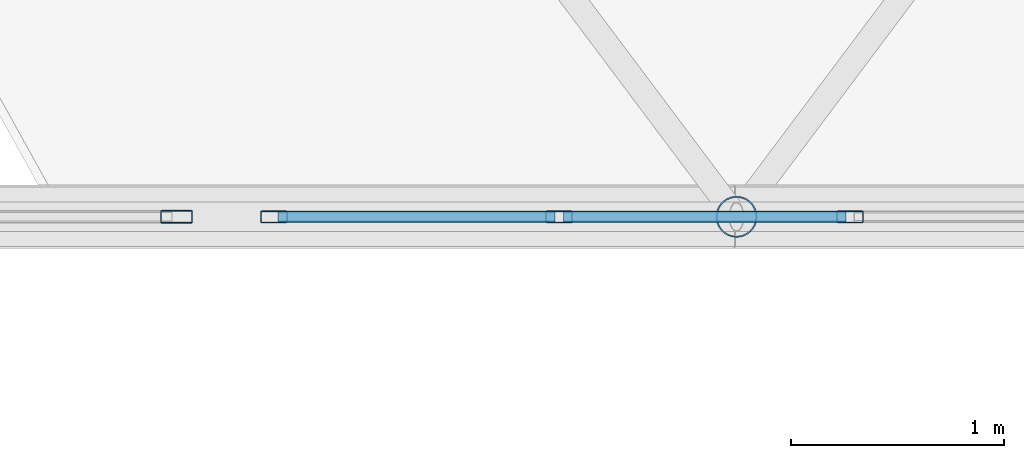
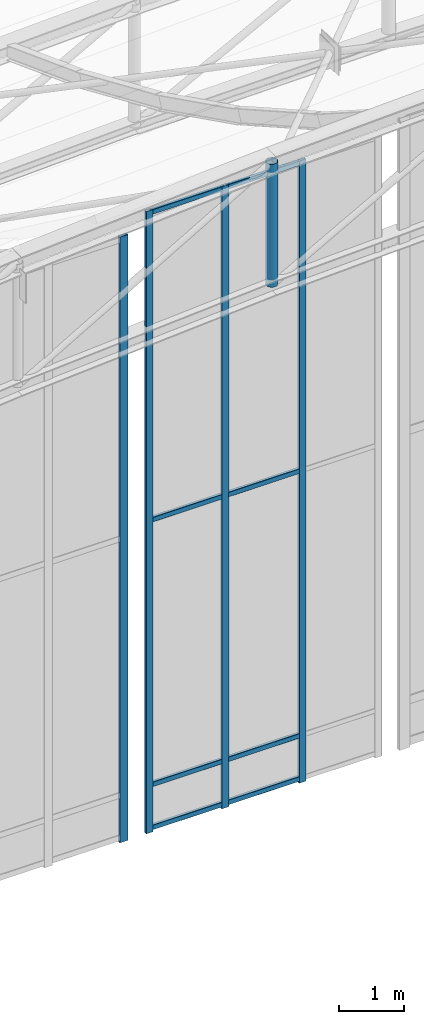
# One storey, part 48 of 262: 13 members, 2 elements without a shape of their own.
"""IFC4 building model written with IfcOpenShell, lengths in metres."""

from ifc_helpers import new_model, si_unit, derived_unit, direction, frame, origin, origin_2d, place, context, subcontext, project, spatial, hollow_rectangle, hollow_circle, extrude, material, layer, layer_set, material_profile, profile_set, type_object, element, aggregate, save


model = new_model("IFC4")

# Units and contexts
model_context = context("Model", 3, precision=1e-05, world=origin(), true_north=direction((0.0, 1.0)))
body_context = subcontext(model_context, "Body", "Model", "MODEL_VIEW")
ifc_project = project(units=[si_unit("LENGTHUNIT", "METRE"), si_unit("AREAUNIT", "SQUARE_METRE"), si_unit("VOLUMEUNIT", "CUBIC_METRE"), si_unit("PLANEANGLEUNIT", "RADIAN"), si_unit("MASSUNIT", "GRAM", prefix="KILO"), derived_unit("THERMALTRANSMITTANCEUNIT", [(si_unit("POWERUNIT", "WATT"), 1), (si_unit("LENGTHUNIT", "METRE"), -2), (si_unit("THERMODYNAMICTEMPERATUREUNIT", "KELVIN"), -1)])], contexts=[model_context])

# Site, building, storey
site_placement = place(None, origin())
site = spatial("IfcSite", under=ifc_project, at=site_placement, CompositionType="ELEMENT")
building_placement = place(site_placement, origin())
building = spatial("IfcBuilding", under=site, at=building_placement, Name="Almenara Railside Exhibition Hall", CompositionType="ELEMENT")
storey_placement = place(building_placement, frame((0.0, 0.0, 21.699951171875)))
storey = spatial("IfcBuildingStorey", under=building, at=storey_placement, Name="RF", CompositionType="ELEMENT", Elevation=21.699951171875)

# Curtain wall, members
ifc_material_1 = material(Name="Bronze-anodised aluminium and low-E double glazing", Category="aluminium")
ifc_layer = layer(ifc_material_1, 0.179931640625, Name="Bronze-anodised aluminium and low-E double glazing")
ifc_layer_set = layer_set([ifc_layer], Name="Bronze-anodised aluminium and low-E double glazing")
curtain_wall_type = type_object("IfcCurtainWallType", Name="Scroll Gable Tall Curtain Wall 3800x5400", PredefinedType="NOTDEFINED", material=ifc_layer_set)
curtain_wall_1_placement = place(storey_placement, origin())
curtain_wall_1 = element("IfcCurtainWall", 1, at=curtain_wall_1_placement, inside=storey, type_object=curtain_wall_type, Name="Curtain wall CW-G1-199", PredefinedType="NOTDEFINED")
ifc_material_2 = material(Name="Bronze-anodised aluminium", Category="aluminium")
ifc_material_profile_1 = material_profile(ifc_material_2, hollow_rectangle(XDim=0.054931640625, YDim=0.125, WallThickness=0.0029296875, InnerFilletRadius=0.0029296875, OuterFilletRadius=0.006103515625, at=origin_2d()), Name="ALU-MUL 55x125x3")
ifc_profile_set_1 = profile_set([ifc_material_profile_1], Name="Bronze-anodised aluminium")
member_type_1 = type_object("IfcMemberType", Name="Curtain Wall Mullion 55x125x3", PredefinedType="MULLION", material=ifc_profile_set_1)
member_1_placement = place(storey_placement, frame((27.827392578125, 48.0, -0.93505859375), z_axis=(0.0, 0.0, 1.0), x_axis=(0.0, 1.0, 0.0)))
member_1 = element("IfcMember", 2, at=member_1_placement, type_object=member_type_1, Name="CW-G1-199 mullion 1", PredefinedType="MULLION", context=body_context, shape_type="SweptSolid", body=[
    extrude(hollow_rectangle(XDim=0.054931640625, YDim=0.125, WallThickness=0.0029296875, InnerFilletRadius=0.0029296875, OuterFilletRadius=0.006103515625, at=origin_2d()), origin(), (0.0, 0.0, 1.0), 11.635009765625),
])
member_2_placement = place(storey_placement, frame((29.166748046875, 48.0, -0.93505859375), z_axis=(0.0, 0.0, 1.0), x_axis=(0.0, 1.0, 0.0)))
member_2 = element("IfcMember", 3, at=member_2_placement, type_object=member_type_1, Name="CW-G1-199 mullion 2", PredefinedType="MULLION", context=body_context, shape_type="SweptSolid", body=[
    extrude(hollow_rectangle(XDim=0.054931640625, YDim=0.125, WallThickness=0.0029296875, InnerFilletRadius=0.0029296875, OuterFilletRadius=0.006103515625, at=origin_2d()), origin(), (0.0, 0.0, 1.0), 11.635009765625),
])
member_3_placement = place(storey_placement, frame((30.533447265625, 48.0, -0.93505859375), z_axis=(0.0, 0.0, 1.0), x_axis=(0.0, 1.0, 0.0)))
member_3 = element("IfcMember", 4, at=member_3_placement, type_object=member_type_1, Name="CW-G1-199 mullion 3", PredefinedType="MULLION", context=body_context, shape_type="SweptSolid", body=[
    extrude(hollow_rectangle(XDim=0.054931640625, YDim=0.125, WallThickness=0.0029296875, InnerFilletRadius=0.0029296875, OuterFilletRadius=0.006103515625, at=origin_2d()), origin(), (0.0, 0.0, 1.0), 11.635009765625),
])

# Curtain wall, member
curtain_wall_2_placement = place(storey_placement, origin())
curtain_wall_2 = element("IfcCurtainWall", 5, at=curtain_wall_2_placement, inside=storey, type_object=curtain_wall_type, Name="Curtain wall CW-G1-198", PredefinedType="NOTDEFINED")
ifc_material_profile_2 = material_profile(ifc_material_2, hollow_rectangle(XDim=0.06005859375, YDim=0.14990234375, WallThickness=0.00341796875, InnerFilletRadius=0.00341796875, OuterFilletRadius=0.007080078125, at=origin_2d()), Name="ALU-MUL 60x150x3.5")
ifc_profile_set_2 = profile_set([ifc_material_profile_2], Name="Bronze-anodised aluminium")
member_type_2 = type_object("IfcMemberType", Name="Curtain Wall Mullion 60x150x3.5", PredefinedType="MULLION", material=ifc_profile_set_2)
member_4_placement = place(storey_placement, frame((27.3701171875, 48.0, -0.93505859375), z_axis=(0.0, 0.0, 1.0), x_axis=(0.0, 1.0, 0.0)))
member_4 = element("IfcMember", 6, at=member_4_placement, type_object=member_type_2, Name="CW-G1-198 mullion 4", PredefinedType="MULLION", context=body_context, shape_type="SweptSolid", body=[
    extrude(hollow_rectangle(XDim=0.06005859375, YDim=0.14990234375, WallThickness=0.00341796875, InnerFilletRadius=0.00341796875, OuterFilletRadius=0.007080078125, at=origin_2d()), origin(), (0.0, 0.0, 1.0), 11.3251953125),
])
aggregate(curtain_wall_2, [member_4])

# Member
ifc_material_profile_3 = material_profile(ifc_material_2, hollow_rectangle(XDim=0.054931640625, YDim=0.090087890625, WallThickness=0.0029296875, InnerFilletRadius=0.0029296875, OuterFilletRadius=0.006103515625, at=origin_2d()), Name="ALU-TRN 55x90x3")
ifc_profile_set_3 = profile_set([ifc_material_profile_3], Name="Bronze-anodised aluminium")
member_type_3 = type_object("IfcMemberType", Name="Curtain Wall Transom 55x90x3", PredefinedType="USERDEFINED", material=ifc_profile_set_3)
member_5_placement = place(storey_placement, frame((27.846923828125, 48.0, -0.85498046875), z_axis=(1.0, 0.0, 0.0), x_axis=(0.0, 1.0, 0.0)))
member_5 = element("IfcMember", 7, at=member_5_placement, type_object=member_type_3, Name="CW-G1-199 transom 1.1", ObjectType="TRANSOM", PredefinedType="USERDEFINED", context=body_context, shape_type="SweptSolid", body=[
    extrude(hollow_rectangle(XDim=0.054931640625, YDim=0.090087890625, WallThickness=0.0029296875, InnerFilletRadius=0.0029296875, OuterFilletRadius=0.006103515625, at=origin_2d()), origin(), (0.0, 0.0, 1.0), 1.30029296875),
])

member_6_placement = place(storey_placement, frame((27.846923828125, 48.0, -0.050048828125), z_axis=(1.0, 0.0, 0.0), x_axis=(0.0, 1.0, 0.0)))
member_6 = element("IfcMember", 8, at=member_6_placement, type_object=member_type_3, Name="CW-G1-199 transom 1.2", ObjectType="TRANSOM", PredefinedType="USERDEFINED", context=body_context, shape_type="SweptSolid", body=[
    extrude(hollow_rectangle(XDim=0.054931640625, YDim=0.090087890625, WallThickness=0.0029296875, InnerFilletRadius=0.0029296875, OuterFilletRadius=0.006103515625, at=origin_2d()), origin(), (0.0, 0.0, 1.0), 1.30029296875),
])

member_7_placement = place(storey_placement, frame((27.846923828125, 48.0, 4.900146484375), z_axis=(1.0, 0.0, 0.0), x_axis=(0.0, 1.0, 0.0)))
member_7 = element("IfcMember", 9, at=member_7_placement, type_object=member_type_3, Name="CW-G1-199 transom 1.3", ObjectType="TRANSOM", PredefinedType="USERDEFINED", context=body_context, shape_type="SweptSolid", body=[
    extrude(hollow_rectangle(XDim=0.054931640625, YDim=0.090087890625, WallThickness=0.0029296875, InnerFilletRadius=0.0029296875, OuterFilletRadius=0.006103515625, at=origin_2d()), origin(), (0.0, 0.0, 1.0), 1.30029296875),
])

member_8_placement = place(storey_placement, frame((27.846923828125, 48.0, 10.655029296875), z_axis=(1.0, 0.0, 0.0), x_axis=(0.0, 1.0, 0.0)))
member_8 = element("IfcMember", 10, at=member_8_placement, type_object=member_type_3, Name="CW-G1-199 transom 1.4", ObjectType="TRANSOM", PredefinedType="USERDEFINED", context=body_context, shape_type="SweptSolid", body=[
    extrude(hollow_rectangle(XDim=0.054931640625, YDim=0.090087890625, WallThickness=0.0029296875, InnerFilletRadius=0.0029296875, OuterFilletRadius=0.006103515625, at=origin_2d()), origin(), (0.0, 0.0, 1.0), 1.30029296875),
])

member_9_placement = place(storey_placement, frame((29.186279296875, 48.0, -0.85498046875), z_axis=(1.0, 0.0, 0.0), x_axis=(0.0, 1.0, 0.0)))
member_9 = element("IfcMember", 11, at=member_9_placement, type_object=member_type_3, Name="CW-G1-199 transom 2.1", ObjectType="TRANSOM", PredefinedType="USERDEFINED", context=body_context, shape_type="SweptSolid", body=[
    extrude(hollow_rectangle(XDim=0.054931640625, YDim=0.090087890625, WallThickness=0.0029296875, InnerFilletRadius=0.0029296875, OuterFilletRadius=0.006103515625, at=origin_2d()), origin(), (0.0, 0.0, 1.0), 1.32763671875),
])

member_10_placement = place(storey_placement, frame((29.186279296875, 48.0, -0.050048828125), z_axis=(1.0, 0.0, 0.0), x_axis=(0.0, 1.0, 0.0)))
member_10 = element("IfcMember", 12, at=member_10_placement, type_object=member_type_3, Name="CW-G1-199 transom 2.2", ObjectType="TRANSOM", PredefinedType="USERDEFINED", context=body_context, shape_type="SweptSolid", body=[
    extrude(hollow_rectangle(XDim=0.054931640625, YDim=0.090087890625, WallThickness=0.0029296875, InnerFilletRadius=0.0029296875, OuterFilletRadius=0.006103515625, at=origin_2d()), origin(), (0.0, 0.0, 1.0), 1.32763671875),
])

member_11_placement = place(storey_placement, frame((29.186279296875, 48.0, 4.900146484375), z_axis=(1.0, 0.0, 0.0), x_axis=(0.0, 1.0, 0.0)))
member_11 = element("IfcMember", 13, at=member_11_placement, type_object=member_type_3, Name="CW-G1-199 transom 2.3", ObjectType="TRANSOM", PredefinedType="USERDEFINED", context=body_context, shape_type="SweptSolid", body=[
    extrude(hollow_rectangle(XDim=0.054931640625, YDim=0.090087890625, WallThickness=0.0029296875, InnerFilletRadius=0.0029296875, OuterFilletRadius=0.006103515625, at=origin_2d()), origin(), (0.0, 0.0, 1.0), 1.32763671875),
])

member_12_placement = place(storey_placement, frame((29.186279296875, 48.0, 10.655029296875), z_axis=(1.0, 0.0, 0.0), x_axis=(0.0, 1.0, 0.0)))
member_12 = element("IfcMember", 14, at=member_12_placement, type_object=member_type_3, Name="CW-G1-199 transom 2.4", ObjectType="TRANSOM", PredefinedType="USERDEFINED", context=body_context, shape_type="SweptSolid", body=[
    extrude(hollow_rectangle(XDim=0.054931640625, YDim=0.090087890625, WallThickness=0.0029296875, InnerFilletRadius=0.0029296875, OuterFilletRadius=0.006103515625, at=origin_2d()), origin(), (0.0, 0.0, 1.0), 1.32763671875),
])

aggregate(curtain_wall_1, [member_1, member_2, member_3, member_5, member_6, member_7, member_8, member_9, member_10, member_11, member_12])

ifc_material_3 = material(Name="Structural steel S355JR", Category="steel")
ifc_material_profile_4 = material_profile(ifc_material_3, hollow_circle(Radius=0.096923828125, WallThickness=0.00634765625, at=origin_2d()), Name="CHS 193.7x6.3")
ifc_profile_set_4 = profile_set([ifc_material_profile_4], Name="Structural steel S355JR")
member_type_4 = type_object("IfcMemberType", Name="Truss Standard Vertical Strut CHS 193.7x6.3 S355JR", PredefinedType="BRACE", material=ifc_profile_set_4)
member_13_placement = place(storey_placement, frame((30.0, 48.0, 8.5556640625), z_axis=(0.0, 0.0, 1.0), x_axis=(1.0, 0.0, 0.0)))
element("IfcMember", 15, at=member_13_placement, inside=storey, type_object=member_type_4, Name="MEM-TV-V1-00-04", PredefinedType="BRACE", context=body_context, shape_type="SweptSolid", body=[
    extrude(hollow_circle(Radius=0.096923828125, WallThickness=0.00634765625, at=origin_2d()), origin(), (0.0, 0.0, 1.0), 2.300048828125),
])

save(model, "model.ifc")
